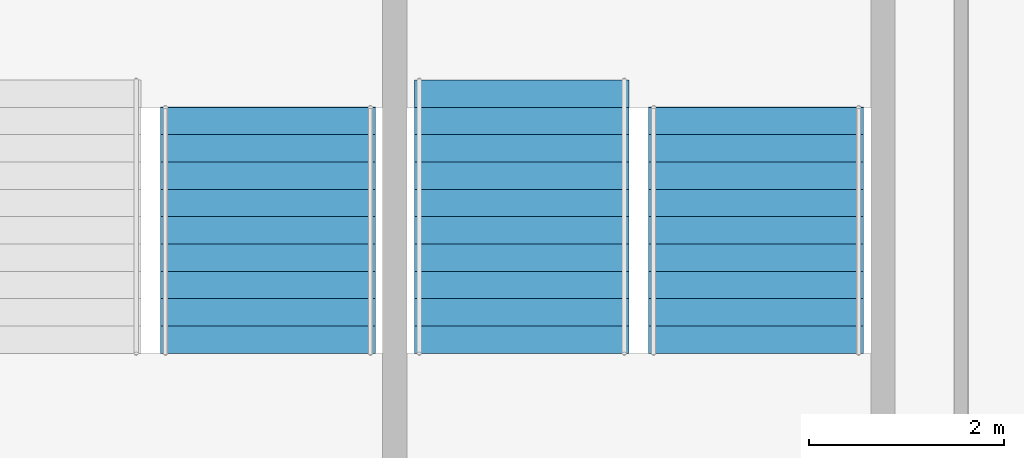
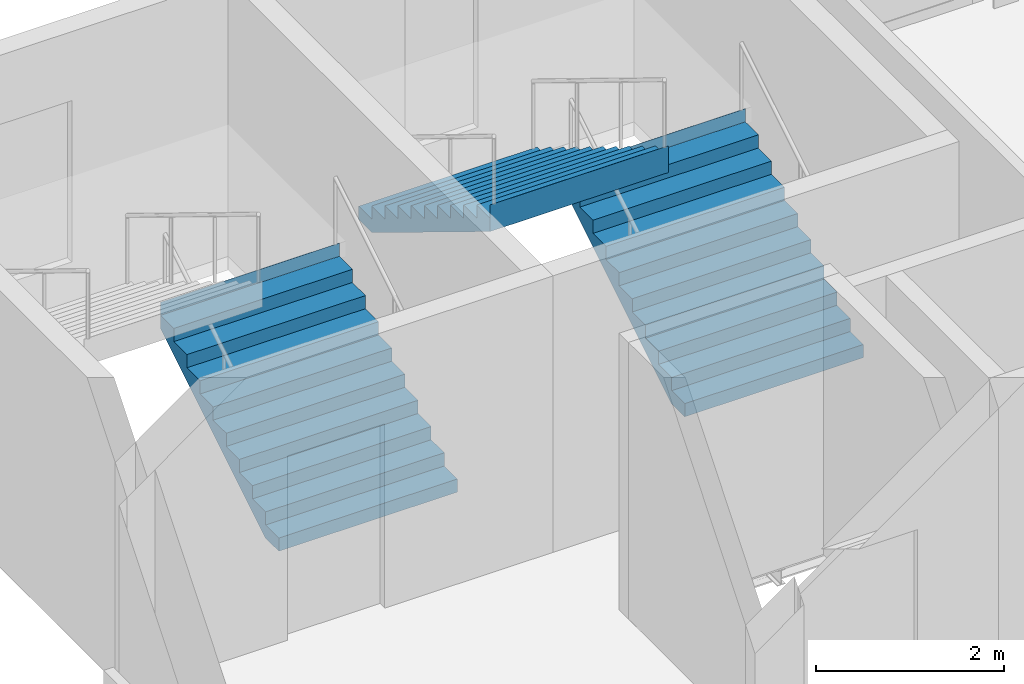
# One storey, part 88 of 124: 3 stair flights, 2 elements without a shape of their own.
"""IFC4 building model written with IfcOpenShell, lengths in metres."""

import ifcopenshell
import ifcopenshell.guid

model = None  # the IFC model being written
_history = None  # IfcOwnerHistory: only IFC2X3 demands one
_inside = {}  # id of a spatial element -> (the spatial element, [elements in it])
_under = {}  # id of a project, library or spatial element -> (it, [spatial elements below it])
_declared = {}  # id of a project -> (the project, [libraries it declares])
_typed = {}  # id of a type object -> (the type object, [elements of that type])
_made_of = {}  # id of a material, layer set ... -> (it, [elements and type objects made of it])


def new_model(schema):
    """Start an empty IFC model of exactly this schema.

    Asked for "IFC4X3", IfcOpenShell would pick the latest addendum, in which some entities
    have other attributes; the version numbers below select the first issue.
    IFC2X3 requires an IfcOwnerHistory on every rooted entity: one is made here for all.
    """
    global model, _history
    if schema == "IFC4X3":
        model = ifcopenshell.file(schema_version=(4, 3, 0, 0))
    else:
        model = ifcopenshell.file(schema=schema)
    _inside.clear()
    _under.clear()
    _declared.clear()
    _typed.clear()
    _made_of.clear()
    _history = None
    if model.schema == "IFC2X3":
        org = make("IfcOrganization", Name="unknown")
        user = make(
            "IfcPersonAndOrganization",
            ThePerson=make("IfcPerson", FamilyName="unknown"),
            TheOrganization=org,
        )
        app = make(
            "IfcApplication",
            ApplicationDeveloper=org,
            Version="unknown",
            ApplicationFullName="unknown",
            ApplicationIdentifier="unknown",
        )
        _history = make(
            "IfcOwnerHistory",
            OwningUser=user,
            OwningApplication=app,
            ChangeAction="ADDED",
            CreationDate=0,
        )
    return model


def make(cls, **values):
    """One entity of the class cls with the attributes given. An attribute that is None is left unset."""
    return model.create_entity(
        cls, **{name: value for name, value in values.items() if value is not None}
    )


def rooted(cls, **values):
    """An entity with a GlobalId (a new one), such as an element, a storey or a relation."""
    return make(cls, GlobalId=ifcopenshell.guid.new(), OwnerHistory=_history, **values)


def si_unit(unit_type, name, prefix=None):
    """IfcSIUnit, for example si_unit("LENGTHUNIT", "METRE", prefix="MILLI")."""
    return make("IfcSIUnit", UnitType=unit_type, Prefix=prefix, Name=name)


def assignment(units):
    """IfcUnitAssignment: the units of a project."""
    return None if units is None else make("IfcUnitAssignment", Units=units)


def point(xyz):
    """IfcCartesianPoint."""
    return None if xyz is None else make("IfcCartesianPoint", Coordinates=xyz)


def direction(xyz):
    """IfcDirection."""
    return None if xyz is None else make("IfcDirection", DirectionRatios=xyz)


def frame(location, z_axis=None, x_axis=None):
    """IfcAxis2Placement3D, a coordinate frame: its origin and axes. An axis left out is left unset."""
    return make(
        "IfcAxis2Placement3D",
        Location=point(location),
        Axis=direction(z_axis),
        RefDirection=direction(x_axis),
    )


def origin():
    """The frame at (0, 0, 0) with its axes left unset."""
    return frame((0.0, 0.0, 0.0))


def place(relative_to, where):
    """IfcLocalPlacement: puts the frame where relative to a parent placement (None: the world)."""
    return make(
        "IfcLocalPlacement", PlacementRelTo=relative_to, RelativePlacement=where
    )


def context(
    kind, dimensions, precision=None, world=None, true_north=None, identifier=None
):
    """IfcGeometricRepresentationContext, for example the 3D "Model" context."""
    return make(
        "IfcGeometricRepresentationContext",
        ContextIdentifier=identifier,
        ContextType=kind,
        CoordinateSpaceDimension=dimensions,
        Precision=precision,
        WorldCoordinateSystem=world,
        TrueNorth=true_north,
    )


def subcontext(parent, identifier, kind, view, scale=None):
    """IfcGeometricRepresentationSubContext, for example "Body" below "Model"."""
    return make(
        "IfcGeometricRepresentationSubContext",
        ContextIdentifier=identifier,
        ContextType=kind,
        ParentContext=parent,
        TargetScale=scale,
        TargetView=view,
    )


def project(units=None, contexts=None):
    """IfcProject with its units and contexts."""
    return rooted(
        "IfcProject",
        Name="project",
        RepresentationContexts=contexts,
        UnitsInContext=assignment(units),
    )


def spatial(cls, under=None, at=None, **own):
    """A site, building, storey or space (cls), placed at a placement, below another one or the project."""
    s = rooted(cls, ObjectPlacement=at, **own)
    if under is not None:
        _under.setdefault(under.id(), (under, []))[1].append(s)
    return s


def polyline(points):
    """IfcPolyline through the points."""
    return make("IfcPolyline", Points=[point(p) for p in points])


def outline(outer, holes=None, kind="AREA"):
    """IfcArbitraryClosedProfileDef: a profile drawn as a closed curve; with holes, ...WithVoids."""
    if holes is None:
        return make("IfcArbitraryClosedProfileDef", ProfileType=kind, OuterCurve=outer)
    return make(
        "IfcArbitraryProfileDefWithVoids",
        ProfileType=kind,
        OuterCurve=outer,
        InnerCurves=holes,
    )


def extrude(swept, where, along, depth):
    """IfcExtrudedAreaSolid: the profile swept, set in the frame where, extruded along a direction by depth."""
    return make(
        "IfcExtrudedAreaSolid",
        SweptArea=swept,
        Position=where,
        ExtrudedDirection=direction(along),
        Depth=depth,
    )


def shape(context_of_items, identifier, shape_type, items):
    """IfcShapeRepresentation: the items that make up one representation, for example the "Body"."""
    return make(
        "IfcShapeRepresentation",
        ContextOfItems=context_of_items,
        RepresentationIdentifier=identifier,
        RepresentationType=shape_type,
        Items=items,
    )


def material(Name=None, Category=None):
    """IfcMaterial."""
    return make("IfcMaterial", Name=Name, Category=Category)


def made_of(thing, what):
    """Note that an element or type object is made of a material, layer set ...; save() writes the relation."""
    if what is not None:
        _made_of.setdefault(what.id(), (what, []))[1].append(thing)
    return thing


def type_object(cls, material=None, **own):
    """A type object (cls), such as IfcWallType, which elements share."""
    return made_of(rooted(cls, **own), material)


def element(
    cls,
    number,
    at=None,
    inside=None,
    cuts=None,
    type_object=None,
    material=None,
    context=None,
    identifier="Body",
    shape_type=None,
    held_by="IfcProductDefinitionShape",
    body=None,
    shapes=None,
    **own,
):
    """One element of the class cls, such as IfcWall. Its Tag is "e" and its number.

    at: its placement. inside: the storey or other place that contains it. cuts: it is an
    opening in that element (IfcRelVoidsElement). A single representation is given by context,
    identifier, shape_type and body (its items); several are given by shapes. held_by: the class
    of the entity that holds the representations. save() writes the other relations.
    """
    e = rooted(cls, Tag="e%d" % number, ObjectPlacement=at, **own)
    if body is not None:
        shapes = [shape(context, identifier, shape_type, body)]
    if shapes is not None:
        e.Representation = make(held_by, Representations=shapes)
    if inside is not None:
        _inside.setdefault(inside.id(), (inside, []))[1].append(e)
    if cuts is not None:
        rooted(
            "IfcRelVoidsElement", RelatingBuildingElement=cuts, RelatedOpeningElement=e
        )
    if type_object is not None:
        _typed.setdefault(type_object.id(), (type_object, []))[1].append(e)
    return made_of(e, material)


def aggregate(whole, parts):
    """IfcRelAggregates: a whole, such as a stair, and the parts it consists of."""
    return rooted("IfcRelAggregates", RelatingObject=whole, RelatedObjects=parts)


def save(model, path):
    """Write the relations noted so far, then the file.

    IfcRelAggregates (storeys below a building ...), IfcRelContainedInSpatialStructure (elements
    in a storey), IfcRelDefinesByType, IfcRelAssociatesMaterial and IfcRelDeclares: one each for
    every whole, place, type object, material and project.
    """
    for whole, parts in _under.values():
        aggregate(whole, parts)
    for where, things in _inside.values():
        rooted(
            "IfcRelContainedInSpatialStructure",
            RelatedElements=things,
            RelatingStructure=where,
        )
    for kind, things in _typed.values():
        rooted("IfcRelDefinesByType", RelatedObjects=things, RelatingType=kind)
    for what, things in _made_of.values():
        rooted("IfcRelAssociatesMaterial", RelatedObjects=things, RelatingMaterial=what)
    for by, libraries in _declared.values():
        rooted("IfcRelDeclares", RelatingContext=by, RelatedDefinitions=libraries)
    model.write(path)


model = new_model("IFC4")

# Units and contexts
model_context = context("Model", 3, precision=1e-05, world=origin(), true_north=direction((0.0, 1.0)))
body_context = subcontext(model_context, "Body", "Model", "MODEL_VIEW")
ifc_project = project(units=[si_unit("LENGTHUNIT", "METRE"), si_unit("AREAUNIT", "SQUARE_METRE"), si_unit("VOLUMEUNIT", "CUBIC_METRE"), si_unit("PLANEANGLEUNIT", "RADIAN"), si_unit("MASSUNIT", "GRAM", prefix="KILO")], contexts=[model_context])

# Site, building, storey
site_placement = place(None, origin())
site = spatial("IfcSite", under=ifc_project, at=site_placement, CompositionType="ELEMENT")
building_placement = place(site_placement, origin())
building = spatial("IfcBuilding", under=site, at=building_placement, Name="Kupolbacken Congress Centre", CompositionType="ELEMENT")
storey_placement = place(building_placement, frame((0.0, 0.0, 10.800048828125)))
storey = spatial("IfcBuildingStorey", under=building, at=storey_placement, Name="L03", CompositionType="ELEMENT", Elevation=10.800048828125)

# Stair, stair flight
ifc_material_1 = material(Name="Concrete C30/37", Category="concrete")
stair_type = type_object("IfcStairType", Name="ST13 stair 2200", PredefinedType="TWO_STRAIGHT_RUN_STAIR", material=ifc_material_1)
stair_1_placement = place(storey_placement, origin())
stair_1 = element("IfcStair", 1, at=stair_1_placement, inside=storey, type_object=stair_type, Name="C/stair/PS1NW/L03", PredefinedType="NOTDEFINED")
ifc_material_2 = material(Name="Concrete C30/37", Category="concrete")
stair_flight_type_1 = type_object("IfcStairFlightType", Name="FL13 stair flight 2200 x 10 risers", PredefinedType="STRAIGHT", material=ifc_material_2)
stair_flight_1_placement = place(storey_placement, frame((10.89990234375, 117.2548828125, 0.0), z_axis=(0.0, 0.0, 1.0), x_axis=(0.0, 1.0, 0.0)))
stair_flight_1 = element("IfcStairFlight", 2, at=stair_flight_1_placement, type_object=stair_flight_type_1, Name="PS1NW flight 1", NumberOfRisers=10, NumberOfTreads=9, PredefinedType="STRAIGHT", RiserHeight=0.171428571, TreadLength=0.28, context=body_context, shape_type="SweptSolid", body=[
    extrude(outline(polyline([(0.0, 0.0), (0.0, 0.0009765625), (0.0, 0.002197265625), (0.0, 0.003173828125), (0.0, 0.004150390625), (0.0, 0.00537109375), (0.0, 0.00634765625), (0.0, 0.007568359375), (0.0, 0.008544921875), (0.0, 0.009521484375), (0.0, 0.0107421875), (0.0, 0.01171875), (0.0, 0.0126953125), (0.0, 0.013916015625), (0.0, 0.014892578125), (0.0, 0.015869140625), (0.0, 0.01708984375), (0.0, 0.01806640625), (0.0, 0.019287109375), (0.0, 0.020263671875), (0.0, 0.021240234375), (0.0, 0.0224609375), (0.0, 0.0234375), (0.0, 0.0244140625), (0.0, 0.025634765625), (0.0, 0.026611328125), (0.0, 0.027587890625), (0.0, 0.02880859375), (0.0, 0.02978515625), (0.0, 0.03076171875), (0.0, 0.031982421875), (0.0, 0.032958984375), (0.0, 0.0341796875), (0.0, 0.03515625), (0.0, 0.0361328125), (0.0, 0.037353515625), (0.0, 0.038330078125), (0.0, 0.039306640625), (0.0, 0.04052734375), (0.0, 0.04150390625), (0.0, 0.04248046875), (0.0, 0.043701171875), (0.0, 0.044677734375), (0.0, 0.0458984375), (0.0, 0.046875), (0.0, 0.0478515625), (0.0, 0.049072265625), (0.0, 0.050048828125), (0.0, 0.051025390625), (0.0, 0.05224609375), (0.0, 0.05322265625), (0.0, 0.05419921875), (0.0, 0.055419921875), (0.0, 0.056396484375), (0.0, 0.0576171875), (0.0, 0.05859375), (0.0, 0.0595703125), (0.0, 0.060791015625), (0.0, 0.061767578125), (0.0, 0.062744140625), (0.0, 0.06396484375), (0.0, 0.06494140625), (0.0, 0.06591796875), (0.0, 0.067138671875), (0.0, 0.068115234375), (0.0, 0.069091796875), (0.0, 0.0703125), (0.0, 0.0712890625), (0.0, 0.072509765625), (0.0, 0.073486328125), (0.0, 0.074462890625), (0.0, 0.07568359375), (0.0, 0.07666015625), (0.0, 0.07763671875), (0.0, 0.078857421875), (0.0, 0.079833984375), (0.0, 0.080810546875), (0.0, 0.08203125), (0.0, 0.0830078125), (0.0, 0.084228515625), (0.0, 0.085205078125), (0.0, 0.086181640625), (0.0, 0.08740234375), (0.0, 0.08837890625), (0.0, 0.08935546875), (0.0, 0.090576171875), (0.0, 0.091552734375), (0.0, 0.092529296875), (0.0, 0.09375), (0.0, 0.0947265625), (0.0, 0.095947265625), (0.0, 0.096923828125), (0.0, 0.097900390625), (0.0, 0.09912109375), (0.0, 0.10009765625), (0.0, 0.10107421875), (0.0, 0.102294921875), (0.0, 0.103271484375), (0.0, 0.104248046875), (0.0, 0.10546875), (0.0, 0.1064453125), (0.0, 0.107421875), (0.0, 0.108642578125), (0.0, 0.109619140625), (0.0, 0.11083984375), (0.0, 0.11181640625), (0.0, 0.11279296875), (0.0, 0.114013671875), (0.0, 0.114990234375), (0.0, 0.115966796875), (0.0, 0.1171875), (0.0, 0.1181640625), (0.0, 0.119140625), (0.0, 0.120361328125), (0.0, 0.121337890625), (0.0, 0.12255859375), (0.0, 0.12353515625), (0.0, 0.12451171875), (0.0, 0.125732421875), (0.0, 0.126708984375), (0.0, 0.127685546875), (0.0, 0.12890625), (0.0, 0.1298828125), (0.0, 0.130859375), (0.0, 0.132080078125), (0.0, 0.133056640625), (0.0, 0.13427734375), (0.0, 0.13525390625), (0.0, 0.13623046875), (0.0, 0.137451171875), (0.0, 0.138427734375), (0.0, 0.139404296875), (0.0, 0.140625), (0.0, 0.1416015625), (0.0, 0.142578125), (0.0, 0.143798828125), (0.0, 0.144775390625), (0.0, 0.145751953125), (0.0, 0.14697265625), (0.0, 0.14794921875), (0.0, 0.149169921875), (0.0, 0.150146484375), (0.0, 0.151123046875), (0.0, 0.15234375), (0.0, 0.1533203125), (0.0, 0.154296875), (0.0, 0.155517578125), (0.0, 0.156494140625), (0.0, 0.157470703125), (0.0, 0.15869140625), (0.0, 0.15966796875), (0.0, 0.160888671875), (0.0, 0.161865234375), (0.0, 0.162841796875), (0.0, 0.1640625), (0.0, 0.1650390625), (0.0, 0.166015625), (0.0, 0.167236328125), (0.0, 0.168212890625), (0.0, 0.169189453125), (0.0, 0.17041015625), (0.0, 0.17138671875), (0.280029296875, 0.17138671875), (0.280029296875, 0.3427734375), (0.56005859375, 0.3427734375), (0.56005859375, 0.514404296875), (0.840087890625, 0.514404296875), (0.840087890625, 0.685791015625), (1.1201171875, 0.685791015625), (1.1201171875, 0.857177734375), (1.39990234375, 0.857177734375), (1.39990234375, 1.028564453125), (1.679931640625, 1.028564453125), (1.679931640625, 1.199951171875), (1.9599609375, 1.199951171875), (1.9599609375, 1.371337890625), (2.239990234375, 1.371337890625), (2.239990234375, 1.54296875), (2.52001953125, 1.54296875), (2.52001953125, 1.71435546875), (2.52197265625, 1.71435546875), (2.52197265625, 1.712158203125), (2.52197265625, 1.7099609375), (2.52197265625, 1.707763671875), (2.52197265625, 1.70556640625), (2.52197265625, 1.70361328125), (2.52197265625, 1.701416015625), (2.52197265625, 1.69921875), (2.52197265625, 1.697021484375), (2.52197265625, 1.69482421875), (2.52197265625, 1.692626953125), (2.52197265625, 1.690673828125), (2.52197265625, 1.6884765625), (2.52197265625, 1.686279296875), (2.52197265625, 1.68408203125), (2.52197265625, 1.681884765625), (2.52197265625, 1.6796875), (2.52197265625, 1.677734375), (2.52197265625, 1.675537109375), (2.52197265625, 1.67333984375), (2.52197265625, 1.671142578125), (2.52197265625, 1.6689453125), (2.52197265625, 1.666748046875), (2.52197265625, 1.664794921875), (2.52197265625, 1.66259765625), (2.52197265625, 1.660400390625), (2.52197265625, 1.658203125), (2.52197265625, 1.656005859375), (2.52197265625, 1.65380859375), (2.52197265625, 1.65185546875), (2.52197265625, 1.649658203125), (2.52197265625, 1.6474609375), (2.52197265625, 1.645263671875), (2.52197265625, 1.64306640625), (2.52197265625, 1.640869140625), (2.52197265625, 1.638916015625), (2.52197265625, 1.63671875), (2.52197265625, 1.634521484375), (2.52197265625, 1.63232421875), (2.52197265625, 1.630126953125), (2.52197265625, 1.6279296875), (2.52197265625, 1.6259765625), (2.52197265625, 1.623779296875), (2.52197265625, 1.62158203125), (2.52197265625, 1.619384765625), (2.52197265625, 1.6171875), (2.52197265625, 1.614990234375), (2.52197265625, 1.613037109375), (2.52197265625, 1.61083984375), (2.52197265625, 1.608642578125), (2.52197265625, 1.6064453125), (2.52197265625, 1.604248046875), (2.52197265625, 1.60205078125), (2.52197265625, 1.60009765625), (2.52197265625, 1.597900390625), (2.52197265625, 1.595703125), (2.52197265625, 1.593505859375), (2.52197265625, 1.59130859375), (2.52197265625, 1.589111328125), (2.52197265625, 1.587158203125), (2.52197265625, 1.5849609375), (2.52197265625, 1.582763671875), (2.52197265625, 1.58056640625), (2.52197265625, 1.578369140625), (2.52197265625, 1.576171875), (2.52197265625, 1.57421875), (2.52197265625, 1.572021484375), (2.52197265625, 1.56982421875), (2.52197265625, 1.567626953125), (2.52197265625, 1.5654296875), (2.52197265625, 1.563232421875), (2.52197265625, 1.561279296875), (2.52197265625, 1.55908203125), (2.52197265625, 1.556884765625), (2.52197265625, 1.5546875), (2.52197265625, 1.552490234375), (2.52197265625, 1.55029296875), (2.52197265625, 1.54833984375), (2.52197265625, 1.546142578125), (2.52197265625, 1.5439453125), (2.52197265625, 1.541748046875), (2.52197265625, 1.53955078125), (2.52197265625, 1.537353515625), (2.52197265625, 1.535400390625), (2.52197265625, 1.533203125), (2.52197265625, 1.531005859375), (2.52197265625, 1.52880859375), (2.52197265625, 1.526611328125), (2.52197265625, 1.5244140625), (2.52197265625, 1.5224609375), (2.52197265625, 1.520263671875), (2.52197265625, 1.51806640625), (2.52197265625, 1.515869140625), (2.52197265625, 1.513671875), (2.52197265625, 1.511474609375), (2.52197265625, 1.509521484375), (2.52197265625, 1.50732421875), (2.52197265625, 1.505126953125), (2.52197265625, 1.5029296875), (2.52197265625, 1.500732421875), (2.52197265625, 1.49853515625), (2.52197265625, 1.49658203125), (2.52197265625, 1.494384765625), (2.52197265625, 1.4921875), (2.52197265625, 1.489990234375), (2.52197265625, 1.48779296875), (2.52197265625, 1.485595703125), (2.52197265625, 1.483642578125), (2.52197265625, 1.4814453125), (2.52197265625, 1.479248046875), (2.52197265625, 1.47705078125), (2.52197265625, 1.474853515625), (2.52197265625, 1.47265625), (2.52197265625, 1.470703125), (2.52197265625, 1.468505859375), (2.52197265625, 1.46630859375), (2.52197265625, 1.464111328125), (2.52197265625, 1.4619140625), (2.52197265625, 1.459716796875), (2.52197265625, 1.457763671875), (2.52197265625, 1.45556640625), (2.52197265625, 1.453369140625), (2.52197265625, 1.451171875), (2.52197265625, 1.448974609375), (2.52197265625, 1.44677734375), (2.52197265625, 1.44482421875), (2.52197265625, 1.442626953125), (2.52197265625, 1.4404296875), (2.52197265625, 1.438232421875), (2.52197265625, 1.43603515625), (2.52197265625, 1.433837890625), (2.52197265625, 1.431884765625), (2.52197265625, 1.4296875), (2.52197265625, 1.427490234375), (2.52197265625, 1.42529296875), (2.52197265625, 1.423095703125), (2.52197265625, 1.4208984375), (2.52197265625, 1.4189453125), (2.52197265625, 1.416748046875), (2.52197265625, 1.41455078125), (2.52197265625, 1.412353515625), (2.52197265625, 1.41015625), (2.52197265625, 1.407958984375), (2.52197265625, 1.406005859375), (2.52197265625, 1.40380859375), (2.52197265625, 1.401611328125), (2.52197265625, 1.3994140625), (2.52197265625, 1.397216796875), (2.52197265625, 1.39501953125), (2.52197265625, 1.39306640625), (2.52197265625, 1.390869140625), (2.52197265625, 1.388671875), (2.52197265625, 1.386474609375), (2.52197265625, 1.38427734375), (2.52197265625, 1.382080078125), (2.52197265625, 1.380126953125), (2.52197265625, 1.3779296875), (2.52197265625, 1.375732421875), (2.52197265625, 1.37353515625), (2.52197265625, 1.371337890625), (2.52197265625, 1.369140625), (2.52197265625, 1.3671875), (0.2890625, 0.0), (0.0, 0.0)])), frame((0.0, 1.10009765625, 0.0), z_axis=(0.0, -1.0, 0.0), x_axis=(1.0, 0.0, 0.0)), (0.0, 0.0, 1.0), 2.199951171875),
])
aggregate(stair_1, [stair_flight_1])

# Stair, stair flights
stair_2_placement = place(storey_placement, origin())
stair_2 = element("IfcStair", 3, at=stair_2_placement, inside=storey, type_object=stair_type, Name="C/stair/PS2NW/L03", PredefinedType="NOTDEFINED")
stair_flight_2_placement = place(storey_placement, frame((15.89990234375, 117.2548828125, 0.0), z_axis=(0.0, 0.0, 1.0), x_axis=(0.0, 1.0, 0.0)))
stair_flight_2 = element("IfcStairFlight", 4, at=stair_flight_2_placement, type_object=stair_flight_type_1, Name="PS2NW flight 1", NumberOfRisers=10, NumberOfTreads=9, PredefinedType="STRAIGHT", RiserHeight=0.171428571, TreadLength=0.28, context=body_context, shape_type="SweptSolid", body=[
    extrude(outline(polyline([(0.0, 0.0), (0.0, 0.0009765625), (0.0, 0.002197265625), (0.0, 0.003173828125), (0.0, 0.004150390625), (0.0, 0.00537109375), (0.0, 0.00634765625), (0.0, 0.007568359375), (0.0, 0.008544921875), (0.0, 0.009521484375), (0.0, 0.0107421875), (0.0, 0.01171875), (0.0, 0.0126953125), (0.0, 0.013916015625), (0.0, 0.014892578125), (0.0, 0.015869140625), (0.0, 0.01708984375), (0.0, 0.01806640625), (0.0, 0.019287109375), (0.0, 0.020263671875), (0.0, 0.021240234375), (0.0, 0.0224609375), (0.0, 0.0234375), (0.0, 0.0244140625), (0.0, 0.025634765625), (0.0, 0.026611328125), (0.0, 0.027587890625), (0.0, 0.02880859375), (0.0, 0.02978515625), (0.0, 0.03076171875), (0.0, 0.031982421875), (0.0, 0.032958984375), (0.0, 0.0341796875), (0.0, 0.03515625), (0.0, 0.0361328125), (0.0, 0.037353515625), (0.0, 0.038330078125), (0.0, 0.039306640625), (0.0, 0.04052734375), (0.0, 0.04150390625), (0.0, 0.04248046875), (0.0, 0.043701171875), (0.0, 0.044677734375), (0.0, 0.0458984375), (0.0, 0.046875), (0.0, 0.0478515625), (0.0, 0.049072265625), (0.0, 0.050048828125), (0.0, 0.051025390625), (0.0, 0.05224609375), (0.0, 0.05322265625), (0.0, 0.05419921875), (0.0, 0.055419921875), (0.0, 0.056396484375), (0.0, 0.0576171875), (0.0, 0.05859375), (0.0, 0.0595703125), (0.0, 0.060791015625), (0.0, 0.061767578125), (0.0, 0.062744140625), (0.0, 0.06396484375), (0.0, 0.06494140625), (0.0, 0.06591796875), (0.0, 0.067138671875), (0.0, 0.068115234375), (0.0, 0.069091796875), (0.0, 0.0703125), (0.0, 0.0712890625), (0.0, 0.072509765625), (0.0, 0.073486328125), (0.0, 0.074462890625), (0.0, 0.07568359375), (0.0, 0.07666015625), (0.0, 0.07763671875), (0.0, 0.078857421875), (0.0, 0.079833984375), (0.0, 0.080810546875), (0.0, 0.08203125), (0.0, 0.0830078125), (0.0, 0.084228515625), (0.0, 0.085205078125), (0.0, 0.086181640625), (0.0, 0.08740234375), (0.0, 0.08837890625), (0.0, 0.08935546875), (0.0, 0.090576171875), (0.0, 0.091552734375), (0.0, 0.092529296875), (0.0, 0.09375), (0.0, 0.0947265625), (0.0, 0.095947265625), (0.0, 0.096923828125), (0.0, 0.097900390625), (0.0, 0.09912109375), (0.0, 0.10009765625), (0.0, 0.10107421875), (0.0, 0.102294921875), (0.0, 0.103271484375), (0.0, 0.104248046875), (0.0, 0.10546875), (0.0, 0.1064453125), (0.0, 0.107421875), (0.0, 0.108642578125), (0.0, 0.109619140625), (0.0, 0.11083984375), (0.0, 0.11181640625), (0.0, 0.11279296875), (0.0, 0.114013671875), (0.0, 0.114990234375), (0.0, 0.115966796875), (0.0, 0.1171875), (0.0, 0.1181640625), (0.0, 0.119140625), (0.0, 0.120361328125), (0.0, 0.121337890625), (0.0, 0.12255859375), (0.0, 0.12353515625), (0.0, 0.12451171875), (0.0, 0.125732421875), (0.0, 0.126708984375), (0.0, 0.127685546875), (0.0, 0.12890625), (0.0, 0.1298828125), (0.0, 0.130859375), (0.0, 0.132080078125), (0.0, 0.133056640625), (0.0, 0.13427734375), (0.0, 0.13525390625), (0.0, 0.13623046875), (0.0, 0.137451171875), (0.0, 0.138427734375), (0.0, 0.139404296875), (0.0, 0.140625), (0.0, 0.1416015625), (0.0, 0.142578125), (0.0, 0.143798828125), (0.0, 0.144775390625), (0.0, 0.145751953125), (0.0, 0.14697265625), (0.0, 0.14794921875), (0.0, 0.149169921875), (0.0, 0.150146484375), (0.0, 0.151123046875), (0.0, 0.15234375), (0.0, 0.1533203125), (0.0, 0.154296875), (0.0, 0.155517578125), (0.0, 0.156494140625), (0.0, 0.157470703125), (0.0, 0.15869140625), (0.0, 0.15966796875), (0.0, 0.160888671875), (0.0, 0.161865234375), (0.0, 0.162841796875), (0.0, 0.1640625), (0.0, 0.1650390625), (0.0, 0.166015625), (0.0, 0.167236328125), (0.0, 0.168212890625), (0.0, 0.169189453125), (0.0, 0.17041015625), (0.0, 0.17138671875), (0.280029296875, 0.17138671875), (0.280029296875, 0.3427734375), (0.56005859375, 0.3427734375), (0.56005859375, 0.514404296875), (0.840087890625, 0.514404296875), (0.840087890625, 0.685791015625), (1.1201171875, 0.685791015625), (1.1201171875, 0.857177734375), (1.39990234375, 0.857177734375), (1.39990234375, 1.028564453125), (1.679931640625, 1.028564453125), (1.679931640625, 1.199951171875), (1.9599609375, 1.199951171875), (1.9599609375, 1.371337890625), (2.239990234375, 1.371337890625), (2.239990234375, 1.54296875), (2.52001953125, 1.54296875), (2.52001953125, 1.71435546875), (2.52197265625, 1.71435546875), (2.52197265625, 1.712158203125), (2.52197265625, 1.7099609375), (2.52197265625, 1.707763671875), (2.52197265625, 1.70556640625), (2.52197265625, 1.70361328125), (2.52197265625, 1.701416015625), (2.52197265625, 1.69921875), (2.52197265625, 1.697021484375), (2.52197265625, 1.69482421875), (2.52197265625, 1.692626953125), (2.52197265625, 1.690673828125), (2.52197265625, 1.6884765625), (2.52197265625, 1.686279296875), (2.52197265625, 1.68408203125), (2.52197265625, 1.681884765625), (2.52197265625, 1.6796875), (2.52197265625, 1.677734375), (2.52197265625, 1.675537109375), (2.52197265625, 1.67333984375), (2.52197265625, 1.671142578125), (2.52197265625, 1.6689453125), (2.52197265625, 1.666748046875), (2.52197265625, 1.664794921875), (2.52197265625, 1.66259765625), (2.52197265625, 1.660400390625), (2.52197265625, 1.658203125), (2.52197265625, 1.656005859375), (2.52197265625, 1.65380859375), (2.52197265625, 1.65185546875), (2.52197265625, 1.649658203125), (2.52197265625, 1.6474609375), (2.52197265625, 1.645263671875), (2.52197265625, 1.64306640625), (2.52197265625, 1.640869140625), (2.52197265625, 1.638916015625), (2.52197265625, 1.63671875), (2.52197265625, 1.634521484375), (2.52197265625, 1.63232421875), (2.52197265625, 1.630126953125), (2.52197265625, 1.6279296875), (2.52197265625, 1.6259765625), (2.52197265625, 1.623779296875), (2.52197265625, 1.62158203125), (2.52197265625, 1.619384765625), (2.52197265625, 1.6171875), (2.52197265625, 1.614990234375), (2.52197265625, 1.613037109375), (2.52197265625, 1.61083984375), (2.52197265625, 1.608642578125), (2.52197265625, 1.6064453125), (2.52197265625, 1.604248046875), (2.52197265625, 1.60205078125), (2.52197265625, 1.60009765625), (2.52197265625, 1.597900390625), (2.52197265625, 1.595703125), (2.52197265625, 1.593505859375), (2.52197265625, 1.59130859375), (2.52197265625, 1.589111328125), (2.52197265625, 1.587158203125), (2.52197265625, 1.5849609375), (2.52197265625, 1.582763671875), (2.52197265625, 1.58056640625), (2.52197265625, 1.578369140625), (2.52197265625, 1.576171875), (2.52197265625, 1.57421875), (2.52197265625, 1.572021484375), (2.52197265625, 1.56982421875), (2.52197265625, 1.567626953125), (2.52197265625, 1.5654296875), (2.52197265625, 1.563232421875), (2.52197265625, 1.561279296875), (2.52197265625, 1.55908203125), (2.52197265625, 1.556884765625), (2.52197265625, 1.5546875), (2.52197265625, 1.552490234375), (2.52197265625, 1.55029296875), (2.52197265625, 1.54833984375), (2.52197265625, 1.546142578125), (2.52197265625, 1.5439453125), (2.52197265625, 1.541748046875), (2.52197265625, 1.53955078125), (2.52197265625, 1.537353515625), (2.52197265625, 1.535400390625), (2.52197265625, 1.533203125), (2.52197265625, 1.531005859375), (2.52197265625, 1.52880859375), (2.52197265625, 1.526611328125), (2.52197265625, 1.5244140625), (2.52197265625, 1.5224609375), (2.52197265625, 1.520263671875), (2.52197265625, 1.51806640625), (2.52197265625, 1.515869140625), (2.52197265625, 1.513671875), (2.52197265625, 1.511474609375), (2.52197265625, 1.509521484375), (2.52197265625, 1.50732421875), (2.52197265625, 1.505126953125), (2.52197265625, 1.5029296875), (2.52197265625, 1.500732421875), (2.52197265625, 1.49853515625), (2.52197265625, 1.49658203125), (2.52197265625, 1.494384765625), (2.52197265625, 1.4921875), (2.52197265625, 1.489990234375), (2.52197265625, 1.48779296875), (2.52197265625, 1.485595703125), (2.52197265625, 1.483642578125), (2.52197265625, 1.4814453125), (2.52197265625, 1.479248046875), (2.52197265625, 1.47705078125), (2.52197265625, 1.474853515625), (2.52197265625, 1.47265625), (2.52197265625, 1.470703125), (2.52197265625, 1.468505859375), (2.52197265625, 1.46630859375), (2.52197265625, 1.464111328125), (2.52197265625, 1.4619140625), (2.52197265625, 1.459716796875), (2.52197265625, 1.457763671875), (2.52197265625, 1.45556640625), (2.52197265625, 1.453369140625), (2.52197265625, 1.451171875), (2.52197265625, 1.448974609375), (2.52197265625, 1.44677734375), (2.52197265625, 1.44482421875), (2.52197265625, 1.442626953125), (2.52197265625, 1.4404296875), (2.52197265625, 1.438232421875), (2.52197265625, 1.43603515625), (2.52197265625, 1.433837890625), (2.52197265625, 1.431884765625), (2.52197265625, 1.4296875), (2.52197265625, 1.427490234375), (2.52197265625, 1.42529296875), (2.52197265625, 1.423095703125), (2.52197265625, 1.4208984375), (2.52197265625, 1.4189453125), (2.52197265625, 1.416748046875), (2.52197265625, 1.41455078125), (2.52197265625, 1.412353515625), (2.52197265625, 1.41015625), (2.52197265625, 1.407958984375), (2.52197265625, 1.406005859375), (2.52197265625, 1.40380859375), (2.52197265625, 1.401611328125), (2.52197265625, 1.3994140625), (2.52197265625, 1.397216796875), (2.52197265625, 1.39501953125), (2.52197265625, 1.39306640625), (2.52197265625, 1.390869140625), (2.52197265625, 1.388671875), (2.52197265625, 1.386474609375), (2.52197265625, 1.38427734375), (2.52197265625, 1.382080078125), (2.52197265625, 1.380126953125), (2.52197265625, 1.3779296875), (2.52197265625, 1.375732421875), (2.52197265625, 1.37353515625), (2.52197265625, 1.371337890625), (2.52197265625, 1.369140625), (2.52197265625, 1.3671875), (0.2890625, 0.0), (0.0, 0.0)])), frame((0.0, 1.10009765625, 0.0), z_axis=(0.0, -1.0, 0.0), x_axis=(1.0, 0.0, 0.0)), (0.0, 0.0, 1.0), 2.199951171875),
])
ifc_material_3 = material(Name="Concrete C30/37", Category="concrete")
stair_flight_type_2 = type_object("IfcStairFlightType", Name="FL14 stair flight 2200 x 11 risers", PredefinedType="STRAIGHT", material=ifc_material_3)
stair_flight_3_placement = place(storey_placement, frame((13.5, 120.054931640625, 1.71435546875), z_axis=(0.0, 0.0, 1.0), x_axis=(0.0, -1.0, 0.0)))
stair_flight_3 = element("IfcStairFlight", 5, at=stair_flight_3_placement, type_object=stair_flight_type_2, Name="PS2NW flight 2", NumberOfRisers=11, NumberOfTreads=10, PredefinedType="STRAIGHT", RiserHeight=0.171428571, TreadLength=0.28, context=body_context, shape_type="SweptSolid", body=[
    extrude(outline(polyline([(0.0, 0.0), (0.0, 0.0009765625), (0.0, 0.002197265625), (0.0, 0.003173828125), (0.0, 0.004150390625), (0.0, 0.00537109375), (0.0, 0.00634765625), (0.0, 0.007568359375), (0.0, 0.008544921875), (0.0, 0.009521484375), (0.0, 0.0107421875), (0.0, 0.01171875), (0.0, 0.0126953125), (0.0, 0.013916015625), (0.0, 0.014892578125), (0.0, 0.015869140625), (0.0, 0.01708984375), (0.0, 0.01806640625), (0.0, 0.019287109375), (0.0, 0.020263671875), (0.0, 0.021240234375), (0.0, 0.0224609375), (0.0, 0.0234375), (0.0, 0.0244140625), (0.0, 0.025634765625), (0.0, 0.026611328125), (0.0, 0.027587890625), (0.0, 0.02880859375), (0.0, 0.02978515625), (0.0, 0.03076171875), (0.0, 0.031982421875), (0.0, 0.032958984375), (0.0, 0.0341796875), (0.0, 0.03515625), (0.0, 0.0361328125), (0.0, 0.037353515625), (0.0, 0.038330078125), (0.0, 0.039306640625), (0.0, 0.04052734375), (0.0, 0.04150390625), (0.0, 0.04248046875), (0.0, 0.043701171875), (0.0, 0.044677734375), (0.0, 0.0458984375), (0.0, 0.046875), (0.0, 0.0478515625), (0.0, 0.049072265625), (0.0, 0.050048828125), (0.0, 0.051025390625), (0.0, 0.05224609375), (0.0, 0.05322265625), (0.0, 0.05419921875), (0.0, 0.055419921875), (0.0, 0.056396484375), (0.0, 0.0576171875), (0.0, 0.05859375), (0.0, 0.0595703125), (0.0, 0.060791015625), (0.0, 0.061767578125), (0.0, 0.062744140625), (0.0, 0.06396484375), (0.0, 0.06494140625), (0.0, 0.06591796875), (0.0, 0.067138671875), (0.0, 0.068115234375), (0.0, 0.069091796875), (0.0, 0.0703125), (0.0, 0.0712890625), (0.0, 0.072509765625), (0.0, 0.073486328125), (0.0, 0.074462890625), (0.0, 0.07568359375), (0.0, 0.07666015625), (0.0, 0.07763671875), (0.0, 0.078857421875), (0.0, 0.079833984375), (0.0, 0.080810546875), (0.0, 0.08203125), (0.0, 0.0830078125), (0.0, 0.084228515625), (0.0, 0.085205078125), (0.0, 0.086181640625), (0.0, 0.08740234375), (0.0, 0.08837890625), (0.0, 0.08935546875), (0.0, 0.090576171875), (0.0, 0.091552734375), (0.0, 0.092529296875), (0.0, 0.09375), (0.0, 0.0947265625), (0.0, 0.095947265625), (0.0, 0.096923828125), (0.0, 0.097900390625), (0.0, 0.09912109375), (0.0, 0.10009765625), (0.0, 0.10107421875), (0.0, 0.102294921875), (0.0, 0.103271484375), (0.0, 0.104248046875), (0.0, 0.10546875), (0.0, 0.1064453125), (0.0, 0.107421875), (0.0, 0.108642578125), (0.0, 0.109619140625), (0.0, 0.11083984375), (0.0, 0.11181640625), (0.0, 0.11279296875), (0.0, 0.114013671875), (0.0, 0.114990234375), (0.0, 0.115966796875), (0.0, 0.1171875), (0.0, 0.1181640625), (0.0, 0.119140625), (0.0, 0.120361328125), (0.0, 0.121337890625), (0.0, 0.12255859375), (0.0, 0.12353515625), (0.0, 0.12451171875), (0.0, 0.125732421875), (0.0, 0.126708984375), (0.0, 0.127685546875), (0.0, 0.12890625), (0.0, 0.1298828125), (0.0, 0.130859375), (0.0, 0.132080078125), (0.0, 0.133056640625), (0.0, 0.13427734375), (0.0, 0.13525390625), (0.0, 0.13623046875), (0.0, 0.137451171875), (0.0, 0.138427734375), (0.0, 0.139404296875), (0.0, 0.140625), (0.0, 0.1416015625), (0.0, 0.142578125), (0.0, 0.143798828125), (0.0, 0.144775390625), (0.0, 0.145751953125), (0.0, 0.14697265625), (0.0, 0.14794921875), (0.0, 0.149169921875), (0.0, 0.150146484375), (0.0, 0.151123046875), (0.0, 0.15234375), (0.0, 0.1533203125), (0.0, 0.154296875), (0.0, 0.155517578125), (0.0, 0.156494140625), (0.0, 0.157470703125), (0.0, 0.15869140625), (0.0, 0.15966796875), (0.0, 0.160888671875), (0.0, 0.161865234375), (0.0, 0.162841796875), (0.0, 0.1640625), (0.0, 0.1650390625), (0.0, 0.166015625), (0.0, 0.167236328125), (0.0, 0.168212890625), (0.0, 0.169189453125), (0.0, 0.17041015625), (0.0, 0.17138671875), (0.280029296875, 0.17138671875), (0.280029296875, 0.3427734375), (0.56005859375, 0.3427734375), (0.56005859375, 0.514404296875), (0.840087890625, 0.514404296875), (0.840087890625, 0.685791015625), (1.1201171875, 0.685791015625), (1.1201171875, 0.857177734375), (1.39990234375, 0.857177734375), (1.39990234375, 1.028564453125), (1.679931640625, 1.028564453125), (1.679931640625, 1.199951171875), (1.9599609375, 1.199951171875), (1.9599609375, 1.371337890625), (2.239990234375, 1.371337890625), (2.239990234375, 1.54296875), (2.52001953125, 1.54296875), (2.52001953125, 1.71435546875), (2.800048828125, 1.71435546875), (2.800048828125, 1.8857421875), (2.802001953125, 1.8857421875), (2.802001953125, 1.883544921875), (2.802001953125, 1.88134765625), (2.802001953125, 1.879150390625), (2.802001953125, 1.877197265625), (2.802001953125, 1.875), (2.802001953125, 1.872802734375), (2.802001953125, 1.87060546875), (2.802001953125, 1.868408203125), (2.802001953125, 1.8662109375), (2.802001953125, 1.8642578125), (2.802001953125, 1.862060546875), (2.802001953125, 1.85986328125), (2.802001953125, 1.857666015625), (2.802001953125, 1.85546875), (2.802001953125, 1.853271484375), (2.802001953125, 1.851318359375), (2.802001953125, 1.84912109375), (2.802001953125, 1.846923828125), (2.802001953125, 1.8447265625), (2.802001953125, 1.842529296875), (2.802001953125, 1.84033203125), (2.802001953125, 1.83837890625), (2.802001953125, 1.836181640625), (2.802001953125, 1.833984375), (2.802001953125, 1.831787109375), (2.802001953125, 1.82958984375), (2.802001953125, 1.827392578125), (2.802001953125, 1.825439453125), (2.802001953125, 1.8232421875), (2.802001953125, 1.821044921875), (2.802001953125, 1.81884765625), (2.802001953125, 1.816650390625), (2.802001953125, 1.814453125), (2.802001953125, 1.8125), (2.802001953125, 1.810302734375), (2.802001953125, 1.80810546875), (2.802001953125, 1.805908203125), (2.802001953125, 1.8037109375), (2.802001953125, 1.801513671875), (2.802001953125, 1.799560546875), (2.802001953125, 1.79736328125), (2.802001953125, 1.795166015625), (2.802001953125, 1.79296875), (2.802001953125, 1.790771484375), (2.802001953125, 1.78857421875), (2.802001953125, 1.78662109375), (2.802001953125, 1.784423828125), (2.802001953125, 1.7822265625), (2.802001953125, 1.780029296875), (2.802001953125, 1.77783203125), (2.802001953125, 1.775634765625), (2.802001953125, 1.773681640625), (2.802001953125, 1.771484375), (2.802001953125, 1.769287109375), (2.802001953125, 1.76708984375), (2.802001953125, 1.764892578125), (2.802001953125, 1.7626953125), (2.802001953125, 1.7607421875), (2.802001953125, 1.758544921875), (2.802001953125, 1.75634765625), (2.802001953125, 1.754150390625), (2.802001953125, 1.751953125), (2.802001953125, 1.749755859375), (2.802001953125, 1.747802734375), (2.802001953125, 1.74560546875), (2.802001953125, 1.743408203125), (2.802001953125, 1.7412109375), (2.802001953125, 1.739013671875), (2.802001953125, 1.73681640625), (2.802001953125, 1.73486328125), (2.802001953125, 1.732666015625), (2.802001953125, 1.73046875), (2.802001953125, 1.728271484375), (2.802001953125, 1.72607421875), (2.802001953125, 1.723876953125), (2.802001953125, 1.721923828125), (2.802001953125, 1.7197265625), (2.802001953125, 1.717529296875), (2.802001953125, 1.71533203125), (2.802001953125, 1.713134765625), (2.802001953125, 1.7109375), (2.802001953125, 1.708984375), (2.802001953125, 1.706787109375), (2.802001953125, 1.70458984375), (2.802001953125, 1.702392578125), (2.802001953125, 1.7001953125), (2.802001953125, 1.697998046875), (2.802001953125, 1.696044921875), (2.802001953125, 1.69384765625), (2.802001953125, 1.691650390625), (2.802001953125, 1.689453125), (2.802001953125, 1.687255859375), (2.802001953125, 1.68505859375), (2.802001953125, 1.68310546875), (2.802001953125, 1.680908203125), (2.802001953125, 1.6787109375), (2.802001953125, 1.676513671875), (2.802001953125, 1.67431640625), (2.802001953125, 1.672119140625), (2.802001953125, 1.670166015625), (2.802001953125, 1.66796875), (2.802001953125, 1.665771484375), (2.802001953125, 1.66357421875), (2.802001953125, 1.661376953125), (2.802001953125, 1.6591796875), (2.802001953125, 1.6572265625), (2.802001953125, 1.655029296875), (2.802001953125, 1.65283203125), (2.802001953125, 1.650634765625), (2.802001953125, 1.6484375), (2.802001953125, 1.646240234375), (2.802001953125, 1.644287109375), (2.802001953125, 1.64208984375), (2.802001953125, 1.639892578125), (2.802001953125, 1.6376953125), (2.802001953125, 1.635498046875), (2.802001953125, 1.63330078125), (2.802001953125, 1.63134765625), (2.802001953125, 1.629150390625), (2.802001953125, 1.626953125), (2.802001953125, 1.624755859375), (2.802001953125, 1.62255859375), (2.802001953125, 1.620361328125), (2.802001953125, 1.618408203125), (2.802001953125, 1.6162109375), (2.802001953125, 1.614013671875), (2.802001953125, 1.61181640625), (2.802001953125, 1.609619140625), (2.802001953125, 1.607421875), (2.802001953125, 1.60546875), (2.802001953125, 1.603271484375), (2.802001953125, 1.60107421875), (2.802001953125, 1.598876953125), (2.802001953125, 1.5966796875), (2.802001953125, 1.594482421875), (2.802001953125, 1.592529296875), (2.802001953125, 1.59033203125), (2.802001953125, 1.588134765625), (2.802001953125, 1.5859375), (2.802001953125, 1.583740234375), (2.802001953125, 1.58154296875), (2.802001953125, 1.57958984375), (2.802001953125, 1.577392578125), (2.802001953125, 1.5751953125), (2.802001953125, 1.572998046875), (2.802001953125, 1.57080078125), (2.802001953125, 1.568603515625), (2.802001953125, 1.566650390625), (2.802001953125, 1.564453125), (2.802001953125, 1.562255859375), (2.802001953125, 1.56005859375), (2.802001953125, 1.557861328125), (2.802001953125, 1.5556640625), (2.802001953125, 1.5537109375), (2.802001953125, 1.551513671875), (2.802001953125, 1.54931640625), (2.802001953125, 1.547119140625), (2.802001953125, 1.544921875), (2.802001953125, 1.542724609375), (2.802001953125, 1.540771484375), (2.802001953125, 1.53857421875), (0.2890625, 0.0), (0.0, 0.0)])), frame((0.0, 1.10009765625, 0.0), z_axis=(0.0, -1.0, 0.0), x_axis=(1.0, 0.0, 0.0)), (0.0, 0.0, 1.0), 2.199951171875),
])
aggregate(stair_2, [stair_flight_2, stair_flight_3])

save(model, "model.ifc")
